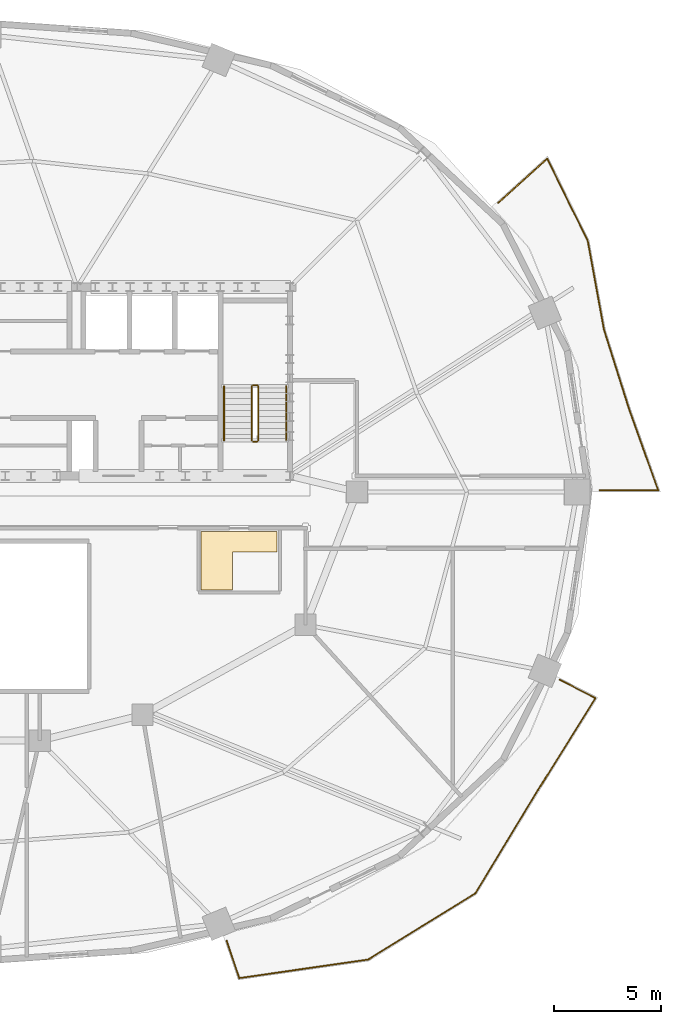
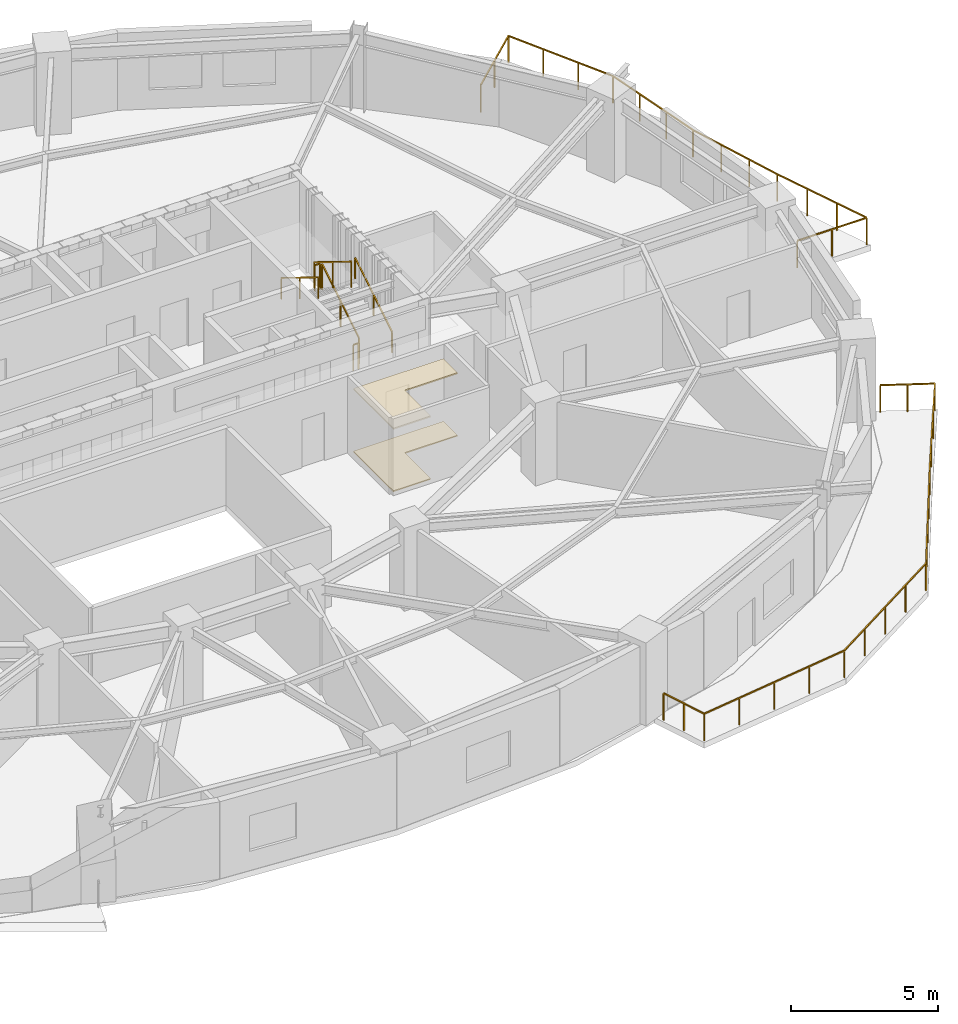
# One storey, part 11 of 11: 8 railings, 2 coverings.
"""IFC4 building model written with IfcOpenShell, lengths in metres."""

from ifc_helpers import new_model, si_unit, direction, frame, origin, origin_2d, place, context, subcontext, project, spatial, polyline, rectangle, outline, extrude, material, layer, layer_set, type_object, element, save


model = new_model("IFC4")

# Units and contexts
model_context = context("Model", 3, precision=1e-05, world=origin(), true_north=direction((0.0, 1.0)))
body_context = subcontext(model_context, "Body", "Model", "MODEL_VIEW")
ifc_project = project(units=[si_unit("LENGTHUNIT", "METRE"), si_unit("AREAUNIT", "SQUARE_METRE"), si_unit("VOLUMEUNIT", "CUBIC_METRE"), si_unit("PLANEANGLEUNIT", "RADIAN"), si_unit("MASSUNIT", "GRAM", prefix="KILO")], contexts=[model_context])

# Site, building, storey
site_placement = place(None, origin())
site = spatial("IfcSite", under=ifc_project, at=site_placement, CompositionType="ELEMENT")
building_placement = place(site_placement, origin())
building = spatial("IfcBuilding", under=site, at=building_placement, Name="Haldorwick Loom Tower", CompositionType="ELEMENT")
storey_placement = place(building_placement, frame((0.0, 0.0, 211.75)))
storey = spatial("IfcBuildingStorey", under=building, at=storey_placement, Name="L57", CompositionType="ELEMENT", Elevation=211.75)

# Coverings
ifc_material_1 = material(Name="Mineral Fibre Acoustic Ceiling Tile")
ifc_layer_1 = layer(ifc_material_1, 0.054931640625, Name="Mineral Fibre Acoustic Ceiling Tile")
ifc_layer_set_1 = layer_set([ifc_layer_1], Name="Mineral Fibre Acoustic Ceiling Tile")
covering_type_1 = type_object("IfcCoveringType", Name="ARC-COV-CEIL2", PredefinedType="CEILING", material=ifc_layer_set_1)
covering_1_placement = place(storey_placement, frame((0.0, 0.0, 2.594970703125)))
element("IfcCovering", 1, at=covering_1_placement, inside=storey, type_object=covering_type_1, Name="L57 Acoustic Suspended Ceiling 2", PredefinedType="CEILING", context=body_context, shape_type="SweptSolid", body=[
    extrude(outline(polyline([(45.929931640625, 24.159912109375), (45.929931640625, 21.429931640625), (47.39990234375, 21.429931640625), (47.39990234375, 23.199951171875), (49.469970703125, 23.199951171875), (49.469970703125, 24.159912109375), (45.929931640625, 24.159912109375)])), origin(), (0.0, 0.0, 1.0), 0.054931640625),
])
ifc_material_2 = material(Name="Polished Aggregate Terrazzo Finish")
ifc_layer_2 = layer(ifc_material_2, 0.044921875, Name="Polished Aggregate Terrazzo Finish")
ifc_layer_set_2 = layer_set([ifc_layer_2], Name="Polished Aggregate Terrazzo Finish")
covering_type_2 = type_object("IfcCoveringType", Name="ARC-COV-FLOOR2", PredefinedType="FLOORING", material=ifc_layer_set_2)
covering_2_placement = place(storey_placement, origin())
element("IfcCovering", 2, at=covering_2_placement, inside=storey, type_object=covering_type_2, Name="L57 Floor Finish 2", PredefinedType="FLOORING", context=body_context, shape_type="SweptSolid", body=[
    extrude(outline(polyline([(45.929931640625, 24.159912109375), (45.929931640625, 21.429931640625), (47.39990234375, 21.429931640625), (47.39990234375, 23.199951171875), (49.469970703125, 23.199951171875), (49.469970703125, 24.159912109375), (45.929931640625, 24.159912109375)])), origin(), (0.0, 0.0, 1.0), 0.044921875),
])

# Railings
ifc_material_3 = material(Name="Galvanized Steel CSA G40.21 350W", Category="steel")
railing_type_1 = type_object("IfcRailingType", Name="ARC-RLG-BAL115", PredefinedType="BALUSTRADE", material=ifc_material_3)
railing_1_placement = place(storey_placement, frame((62.661376953125, 17.2353515625, 0.0)))
element("IfcRailing", 3, at=railing_1_placement, inside=storey, type_object=railing_type_1, Name="L57 Outdoor Terrace Guardrail SLB-L57-BAL_SE-1", PredefinedType="BALUSTRADE", context=body_context, shape_type="SweptSolid", body=[
    extrude(rectangle(XDim=0.048095703125, YDim=0.048095703125, at=origin_2d()), frame((0.0, 0.0, 1.1259765625), z_axis=(0.890893691189, -0.454211878973, 0.0), x_axis=(0.454211878973, 0.890893691189, 0.0)), (0.0, 0.0, 1.0), 1.8662109375),
    extrude(rectangle(XDim=0.048095703125, YDim=0.048095703125, at=origin_2d()), frame((1.66259765625, -0.84765625, 1.1259765625), z_axis=(-0.530279090567, -0.847823145536, 0.0), x_axis=(0.847823145536, -0.530279090567, 0.0)), (0.0, 0.0, 1.0), 5.012939453125),
    extrude(rectangle(XDim=0.048095703125, YDim=0.048095703125, at=origin_2d()), frame((-0.99560546875, -5.09765625, 1.1259765625), z_axis=(-0.6, -0.8, 0.0), x_axis=(0.8, -0.6, 0.0)), (0.0, 0.0, 1.0), 0.001220703125),
    extrude(rectangle(XDim=0.048095703125, YDim=0.048095703125, at=origin_2d()), frame((-0.996337890625, -5.0986328125, 1.1259765625), z_axis=(-0.519275509601, -0.854606895086, 0.0), x_axis=(0.854606895086, -0.519275509601, 0.0)), (0.0, 0.0, 1.0), 5.6767578125),
    extrude(rectangle(XDim=0.048095703125, YDim=0.048095703125, at=origin_2d()), frame((-3.944091796875, -9.949951171875, 1.1259765625), z_axis=(-0.850370602088, -0.526184225442, 0.0), x_axis=(0.526184225442, -0.850370602088, 0.0)), (0.0, 0.0, 1.0), 5.870361328125),
    extrude(rectangle(XDim=0.048095703125, YDim=0.048095703125, at=origin_2d()), frame((-8.93603515625, -13.038818359375, 1.1259765625), z_axis=(-0.989779162617, -0.142608587572, 0.0), x_axis=(0.142608587572, -0.989779162617, 0.0)), (0.0, 0.0, 1.0), 6.073974609375),
    extrude(rectangle(XDim=0.048095703125, YDim=0.048095703125, at=origin_2d()), frame((-14.947998046875, -13.905029296875, 1.1259765625), z_axis=(-0.320464888743, 0.94726039455, 0.0), x_axis=(-0.94726039455, -0.320464888743, 0.0)), (0.0, 0.0, 1.0), 1.84814453125),
    extrude(rectangle(XDim=0.0419921875, YDim=0.0419921875, at=origin_2d()), origin(), (0.0, 0.0, 1.0), 1.101806640625),
    extrude(rectangle(XDim=0.0419921875, YDim=0.0419921875, at=origin_2d()), frame((0.831298828125, -0.423828125, 0.0)), (0.0, 0.0, 1.0), 1.101806640625),
    extrude(rectangle(XDim=0.0419921875, YDim=0.0419921875, at=origin_2d()), frame((1.66259765625, -0.84765625, 0.0)), (0.0, 0.0, 1.0), 1.101806640625),
    extrude(rectangle(XDim=0.0419921875, YDim=0.0419921875, at=origin_2d()), frame((0.776611328125, -2.264404296875, 0.0)), (0.0, 0.0, 1.0), 1.101806640625),
    extrude(rectangle(XDim=0.0419921875, YDim=0.0419921875, at=origin_2d()), frame((-0.109619140625, -3.680908203125, 0.0)), (0.0, 0.0, 1.0), 1.101806640625),
    extrude(rectangle(XDim=0.0419921875, YDim=0.0419921875, at=origin_2d()), frame((-0.99560546875, -5.09765625, 0.0)), (0.0, 0.0, 1.0), 1.101806640625),
    extrude(rectangle(XDim=0.0419921875, YDim=0.0419921875, at=origin_2d()), frame((-1.7333984375, -6.3115234375, 0.0)), (0.0, 0.0, 1.0), 1.101806640625),
    extrude(rectangle(XDim=0.0419921875, YDim=0.0419921875, at=origin_2d()), frame((-2.47021484375, -7.5244140625, 0.0)), (0.0, 0.0, 1.0), 1.101806640625),
    extrude(rectangle(XDim=0.0419921875, YDim=0.0419921875, at=origin_2d()), frame((-3.20703125, -8.737060546875, 0.0)), (0.0, 0.0, 1.0), 1.101806640625),
    extrude(rectangle(XDim=0.0419921875, YDim=0.0419921875, at=origin_2d()), frame((-3.944091796875, -9.949951171875, 0.0)), (0.0, 0.0, 1.0), 1.101806640625),
    extrude(rectangle(XDim=0.0419921875, YDim=0.0419921875, at=origin_2d()), frame((-5.192138671875, -10.72216796875, 0.0)), (0.0, 0.0, 1.0), 1.101806640625),
    extrude(rectangle(XDim=0.0419921875, YDim=0.0419921875, at=origin_2d()), frame((-6.43994140625, -11.494384765625, 0.0)), (0.0, 0.0, 1.0), 1.101806640625),
    extrude(rectangle(XDim=0.0419921875, YDim=0.0419921875, at=origin_2d()), frame((-7.68798828125, -12.2666015625, 0.0)), (0.0, 0.0, 1.0), 1.101806640625),
    extrude(rectangle(XDim=0.0419921875, YDim=0.0419921875, at=origin_2d()), frame((-8.93603515625, -13.038818359375, 0.0)), (0.0, 0.0, 1.0), 1.101806640625),
    extrude(rectangle(XDim=0.0419921875, YDim=0.0419921875, at=origin_2d()), frame((-10.43896484375, -13.25537109375, 0.0)), (0.0, 0.0, 1.0), 1.101806640625),
    extrude(rectangle(XDim=0.0419921875, YDim=0.0419921875, at=origin_2d()), frame((-11.94189453125, -13.471923828125, 0.0)), (0.0, 0.0, 1.0), 1.101806640625),
    extrude(rectangle(XDim=0.0419921875, YDim=0.0419921875, at=origin_2d()), frame((-13.445068359375, -13.6884765625, 0.0)), (0.0, 0.0, 1.0), 1.101806640625),
    extrude(rectangle(XDim=0.0419921875, YDim=0.0419921875, at=origin_2d()), frame((-14.947998046875, -13.905029296875, 0.0)), (0.0, 0.0, 1.0), 1.101806640625),
    extrude(rectangle(XDim=0.0419921875, YDim=0.0419921875, at=origin_2d()), frame((-15.244140625, -13.02978515625, 0.0)), (0.0, 0.0, 1.0), 1.101806640625),
    extrude(rectangle(XDim=0.0419921875, YDim=0.0419921875, at=origin_2d()), frame((-15.540283203125, -12.154296875, 0.0)), (0.0, 0.0, 1.0), 1.101806640625),
])
railing_2_placement = place(storey_placement, frame((59.788818359375, 39.48046875, 0.0)))
element("IfcRailing", 4, at=railing_2_placement, inside=storey, type_object=railing_type_1, Name="L57 Outdoor Terrace Guardrail SLB-L57-BAL_ENE-1", PredefinedType="BALUSTRADE", context=body_context, shape_type="SweptSolid", body=[
    extrude(rectangle(XDim=0.048095703125, YDim=0.048095703125, at=origin_2d()), frame((0.0, 0.0, 1.1259765625), z_axis=(0.741629818427, 0.670809371148, 0.0), x_axis=(-0.670809371148, 0.741629818427, 0.0)), (0.0, 0.0, 1.0), 3.074951171875),
    extrude(rectangle(XDim=0.048095703125, YDim=0.048095703125, at=origin_2d()), frame((2.280517578125, 2.062744140625, 1.1259765625), z_axis=(0.441327923255, -0.897345899949, 0.0), x_axis=(0.897345899949, 0.441327923255, 0.0)), (0.0, 0.0, 1.0), 4.287841796875),
    extrude(rectangle(XDim=0.048095703125, YDim=0.048095703125, at=origin_2d()), frame((4.1728515625, -1.784912109375, 1.1259765625), z_axis=(0.179997784383, -0.983667015619, 0.0), x_axis=(0.983667015619, 0.179997784383, 0.0)), (0.0, 0.0, 1.0), 4.210205078125),
    extrude(rectangle(XDim=0.048095703125, YDim=0.048095703125, at=origin_2d()), frame((4.9306640625, -5.92626953125, 1.1259765625), z_axis=(0.242535625036, -0.970142500145, 0.0), x_axis=(0.970142500145, 0.242535625036, 0.0)), (0.0, 0.0, 1.0), 0.010009765625),
    extrude(rectangle(XDim=0.048095703125, YDim=0.048095703125, at=origin_2d()), frame((4.93310546875, -5.93603515625, 1.1259765625), z_axis=(0.301772587329, -0.953379937662, 0.0), x_axis=(0.953379937662, 0.301772587329, 0.0)), (0.0, 0.0, 1.0), 3.880859375),
    extrude(rectangle(XDim=0.048095703125, YDim=0.048095703125, at=origin_2d()), frame((6.104248046875, -9.635986328125, 1.1259765625), z_axis=(0.341743063087, -0.939793423488, 0.0), x_axis=(0.939793423488, 0.341743063087, 0.0)), (0.0, 0.0, 1.0), 0.0029296875),
    extrude(rectangle(XDim=0.048095703125, YDim=0.048095703125, at=origin_2d()), frame((6.105224609375, -9.638671875, 1.1259765625), z_axis=(0.337156851185, -0.941448489137, 0.0), x_axis=(0.941448489137, 0.337156851185, 0.0)), (0.0, 0.0, 1.0), 3.99560546875),
    extrude(rectangle(XDim=0.048095703125, YDim=0.048095703125, at=origin_2d()), frame((7.452392578125, -13.400390625, 1.1259765625), z_axis=(-1.0, 0.0, 0.0), x_axis=(0.0, -1.0, 0.0)), (0.0, 0.0, 1.0), 2.731689453125),
    extrude(rectangle(XDim=0.0419921875, YDim=0.0419921875, at=origin_2d()), origin(), (0.0, 0.0, 1.0), 1.101806640625),
    extrude(rectangle(XDim=0.0419921875, YDim=0.0419921875, at=origin_2d()), frame((1.14013671875, 1.03125, 0.0)), (0.0, 0.0, 1.0), 1.101806640625),
    extrude(rectangle(XDim=0.0419921875, YDim=0.0419921875, at=origin_2d()), frame((2.280517578125, 2.062744140625, 0.0)), (0.0, 0.0, 1.0), 1.101806640625),
    extrude(rectangle(XDim=0.0419921875, YDim=0.0419921875, at=origin_2d()), frame((2.911376953125, 0.7802734375, 0.0)), (0.0, 0.0, 1.0), 1.101806640625),
    extrude(rectangle(XDim=0.0419921875, YDim=0.0419921875, at=origin_2d()), frame((3.5419921875, -0.50244140625, 0.0)), (0.0, 0.0, 1.0), 1.101806640625),
    extrude(rectangle(XDim=0.0419921875, YDim=0.0419921875, at=origin_2d()), frame((4.1728515625, -1.784912109375, 0.0)), (0.0, 0.0, 1.0), 1.101806640625),
    extrude(rectangle(XDim=0.0419921875, YDim=0.0419921875, at=origin_2d()), frame((4.425537109375, -3.165283203125, 0.0)), (0.0, 0.0, 1.0), 1.101806640625),
    extrude(rectangle(XDim=0.0419921875, YDim=0.0419921875, at=origin_2d()), frame((4.677978515625, -4.5458984375, 0.0)), (0.0, 0.0, 1.0), 1.101806640625),
    extrude(rectangle(XDim=0.0419921875, YDim=0.0419921875, at=origin_2d()), frame((4.9306640625, -5.92626953125, 0.0)), (0.0, 0.0, 1.0), 1.101806640625),
    extrude(rectangle(XDim=0.0419921875, YDim=0.0419921875, at=origin_2d()), frame((5.323486328125, -7.16943359375, 0.0)), (0.0, 0.0, 1.0), 1.101806640625),
    extrude(rectangle(XDim=0.0419921875, YDim=0.0419921875, at=origin_2d()), frame((5.7138671875, -8.402587890625, 0.0)), (0.0, 0.0, 1.0), 1.101806640625),
    extrude(rectangle(XDim=0.0419921875, YDim=0.0419921875, at=origin_2d()), frame((6.104248046875, -9.635986328125, 0.0)), (0.0, 0.0, 1.0), 1.101806640625),
    extrude(rectangle(XDim=0.0419921875, YDim=0.0419921875, at=origin_2d()), frame((6.55419921875, -10.892578125, 0.0)), (0.0, 0.0, 1.0), 1.101806640625),
    extrude(rectangle(XDim=0.0419921875, YDim=0.0419921875, at=origin_2d()), frame((7.00341796875, -12.146484375, 0.0)), (0.0, 0.0, 1.0), 1.101806640625),
    extrude(rectangle(XDim=0.0419921875, YDim=0.0419921875, at=origin_2d()), frame((7.452392578125, -13.400390625, 0.0)), (0.0, 0.0, 1.0), 1.101806640625),
    extrude(rectangle(XDim=0.0419921875, YDim=0.0419921875, at=origin_2d()), frame((6.08642578125, -13.400390625, 0.0)), (0.0, 0.0, 1.0), 1.101806640625),
    extrude(rectangle(XDim=0.0419921875, YDim=0.0419921875, at=origin_2d()), frame((4.720703125, -13.400390625, 0.0)), (0.0, 0.0, 1.0), 1.101806640625),
])
ifc_material_4 = material(Name="Steel CSA G40.21 350W", Category="steel")
railing_type_2 = type_object("IfcRailingType", Name="ARC-RLG-GUARD112", PredefinedType="GUARDRAIL", material=ifc_material_4)
railing_3_placement = place(storey_placement, frame((48.60009765625, 28.39990234375, 0.172607421875)))
element("IfcRailing", 5, at=railing_3_placement, inside=storey, type_object=railing_type_2, Name="L57 ST-02 stair guard 1", PredefinedType="GUARDRAIL", context=body_context, shape_type="SweptSolid", body=[
    extrude(rectangle(XDim=0.048095703125, YDim=0.048095703125, at=origin_2d()), frame((0.0, 0.0, 1.076171875), z_axis=(0.0, 0.851400495292, 0.524516154772), x_axis=(-1.0, 0.0, 0.0)), (0.0, 0.0, 1.0), 2.9599609375),
    extrude(rectangle(XDim=0.0419921875, YDim=0.0419921875, at=origin_2d()), origin(), (0.0, 0.0, 1.0), 1.052001953125),
    extrude(rectangle(XDim=0.0419921875, YDim=0.0419921875, at=origin_2d()), frame((0.0, 1.260009765625, 0.7763671875)), (0.0, 0.0, 1.0), 1.052001953125),
    extrude(rectangle(XDim=0.0419921875, YDim=0.0419921875, at=origin_2d()), frame((0.0, 2.52001953125, 1.552490234375)), (0.0, 0.0, 1.0), 1.052001953125),
])
railing_4_placement = place(storey_placement, frame((48.550048828125, 30.969970703125, 1.72509765625)))
element("IfcRailing", 6, at=railing_4_placement, inside=storey, type_object=railing_type_2, Name="L57 ST-02 stair guard 2", PredefinedType="GUARDRAIL", context=body_context, shape_type="SweptSolid", body=[
    extrude(rectangle(XDim=0.048095703125, YDim=0.048095703125, at=origin_2d()), frame((0.0, 0.0, 1.076171875), z_axis=(-1.0, 0.0, 0.0), x_axis=(0.0, -1.0, 0.0)), (0.0, 0.0, 1.0), 0.199951171875),
    extrude(rectangle(XDim=0.0419921875, YDim=0.0419921875, at=origin_2d()), origin(), (0.0, 0.0, 1.0), 1.052001953125),
    extrude(rectangle(XDim=0.0419921875, YDim=0.0419921875, at=origin_2d()), frame((-0.199951171875, 0.0, 0.0)), (0.0, 0.0, 1.0), 1.052001953125),
])
railing_5_placement = place(storey_placement, frame((48.300048828125, 30.919921875, 1.8974609375)))
element("IfcRailing", 7, at=railing_5_placement, inside=storey, type_object=railing_type_2, Name="L57 ST-02 stair guard 3", PredefinedType="GUARDRAIL", context=body_context, shape_type="SweptSolid", body=[
    extrude(rectangle(XDim=0.048095703125, YDim=0.048095703125, at=origin_2d()), frame((0.0, 0.0, 1.076171875), z_axis=(0.0, -0.851400495292, 0.524516154772), x_axis=(1.0, 0.0, 0.0)), (0.0, 0.0, 1.0), 2.9599609375),
    extrude(rectangle(XDim=0.0419921875, YDim=0.0419921875, at=origin_2d()), origin(), (0.0, 0.0, 1.0), 1.052001953125),
    extrude(rectangle(XDim=0.0419921875, YDim=0.0419921875, at=origin_2d()), frame((0.0, -1.260009765625, 0.7763671875)), (0.0, 0.0, 1.0), 1.052001953125),
    extrude(rectangle(XDim=0.0419921875, YDim=0.0419921875, at=origin_2d()), frame((0.0, -2.52001953125, 1.552490234375)), (0.0, 0.0, 1.0), 1.052001953125),
])
railing_6_placement = place(storey_placement, frame((48.550048828125, 28.35009765625, 0.0)))
element("IfcRailing", 8, at=railing_6_placement, inside=storey, type_object=railing_type_2, Name="L57 ST-02 stair guard 4", PredefinedType="GUARDRAIL", context=body_context, shape_type="SweptSolid", body=[
    extrude(rectangle(XDim=0.048095703125, YDim=0.048095703125, at=origin_2d()), frame((0.0, 0.0, 1.076171875), z_axis=(-1.0, 0.0, 0.0), x_axis=(0.0, -1.0, 0.0)), (0.0, 0.0, 1.0), 0.199951171875),
    extrude(rectangle(XDim=0.0419921875, YDim=0.0419921875, at=origin_2d()), origin(), (0.0, 0.0, 1.0), 1.052001953125),
    extrude(rectangle(XDim=0.0419921875, YDim=0.0419921875, at=origin_2d()), frame((-0.199951171875, 0.0, 0.0)), (0.0, 0.0, 1.0), 1.052001953125),
])
railing_type_3 = type_object("IfcRailingType", Name="ARC-RLG-HAND092", PredefinedType="HANDRAIL", material=ifc_material_4)
railing_7_placement = place(storey_placement, frame((49.89990234375, 28.39990234375, 0.172607421875)))
element("IfcRailing", 9, at=railing_7_placement, inside=storey, type_object=railing_type_3, Name="L57 ST-02 stair handrail 1", PredefinedType="HANDRAIL", context=body_context, shape_type="SweptSolid", body=[
    extrude(rectangle(XDim=0.048095703125, YDim=0.048095703125, at=origin_2d()), frame((0.0, 0.0, 0.8759765625), z_axis=(0.0, 0.851400495292, 0.524516154772), x_axis=(-1.0, 0.0, 0.0)), (0.0, 0.0, 1.0), 2.9599609375),
    extrude(rectangle(XDim=0.0419921875, YDim=0.0419921875, at=origin_2d()), origin(), (0.0, 0.0, 1.0), 0.851806640625),
    extrude(rectangle(XDim=0.0419921875, YDim=0.0419921875, at=origin_2d()), frame((0.0, 1.260009765625, 0.7763671875)), (0.0, 0.0, 1.0), 0.851806640625),
    extrude(rectangle(XDim=0.0419921875, YDim=0.0419921875, at=origin_2d()), frame((0.0, 2.52001953125, 1.552490234375)), (0.0, 0.0, 1.0), 0.851806640625),
])
railing_8_placement = place(storey_placement, frame((47.0, 30.919921875, 1.8974609375)))
element("IfcRailing", 10, at=railing_8_placement, inside=storey, type_object=railing_type_3, Name="L57 ST-02 stair handrail 2", PredefinedType="HANDRAIL", context=body_context, shape_type="SweptSolid", body=[
    extrude(rectangle(XDim=0.048095703125, YDim=0.048095703125, at=origin_2d()), frame((0.0, 0.0, 0.8759765625), z_axis=(0.0, -0.851400495292, 0.524516154772), x_axis=(1.0, 0.0, 0.0)), (0.0, 0.0, 1.0), 2.9599609375),
    extrude(rectangle(XDim=0.0419921875, YDim=0.0419921875, at=origin_2d()), origin(), (0.0, 0.0, 1.0), 0.851806640625),
    extrude(rectangle(XDim=0.0419921875, YDim=0.0419921875, at=origin_2d()), frame((0.0, -1.260009765625, 0.7763671875)), (0.0, 0.0, 1.0), 0.851806640625),
    extrude(rectangle(XDim=0.0419921875, YDim=0.0419921875, at=origin_2d()), frame((0.0, -2.52001953125, 1.552490234375)), (0.0, 0.0, 1.0), 0.851806640625),
])

save(model, "model.ifc")
